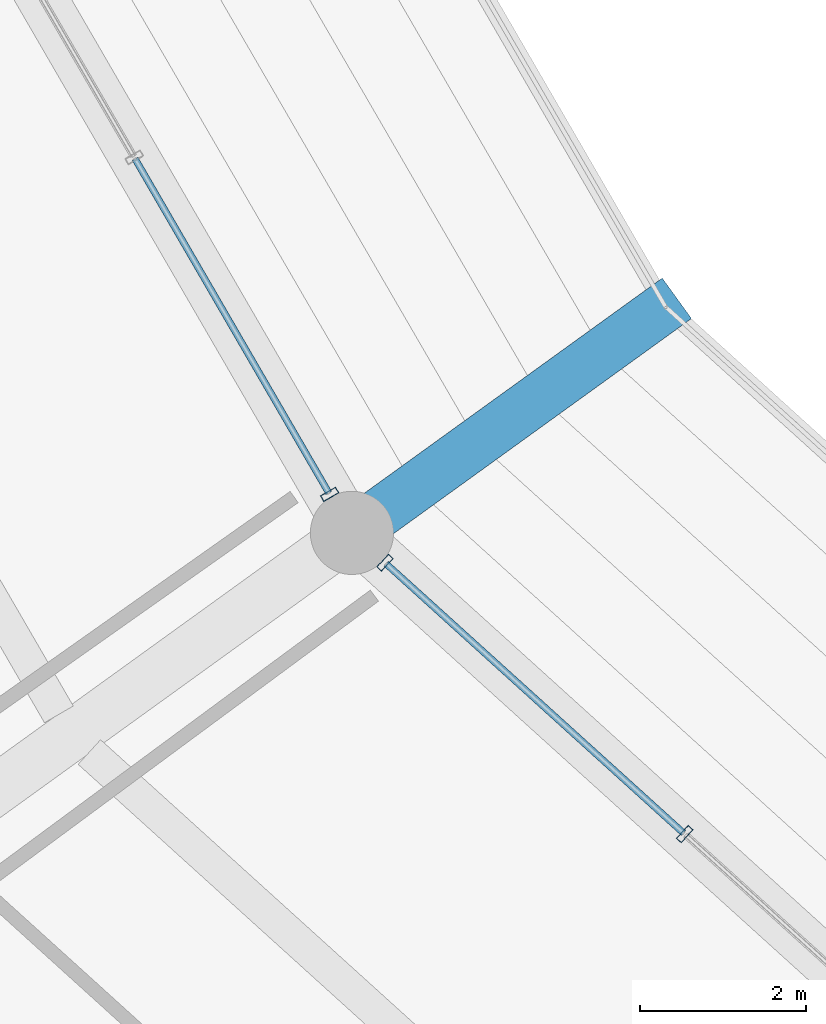
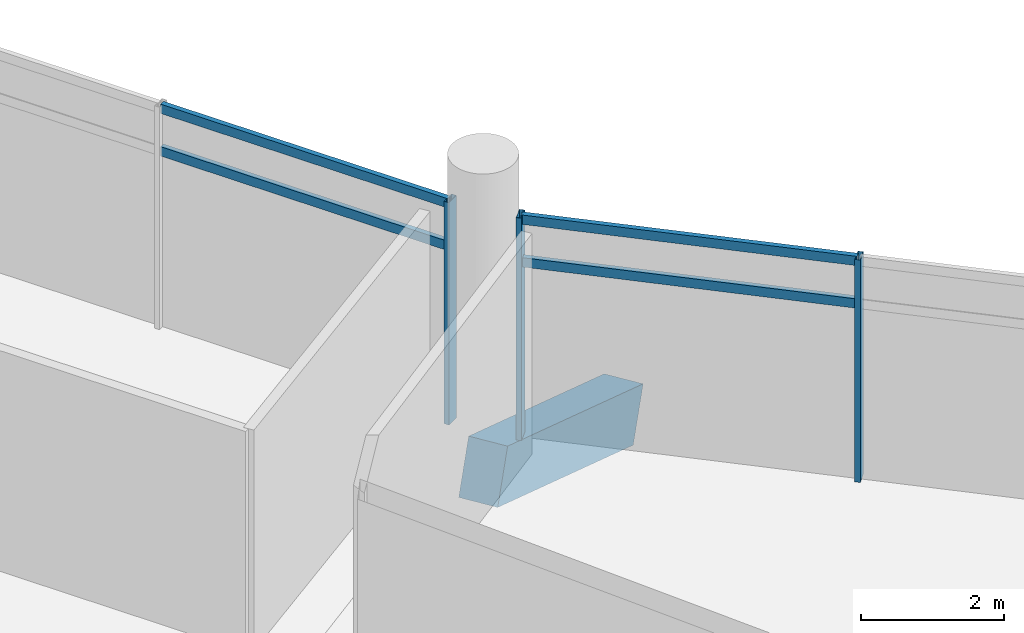
# One storey, part 9 of 171: 7 members, 1 beam, 2 elements without a shape of their own.
"""IFC4 building model written with IfcOpenShell, lengths in metres."""

from ifc_helpers import new_model, si_unit, direction, frame, origin, origin_2d, place, context, subcontext, project, spatial, rectangle, hollow_rectangle, extrude, material, layer, layer_set, material_profile, profile_set, type_object, element, aggregate, save


model = new_model("IFC4")

# Units and contexts
model_context = context("Model", 3, precision=1e-05, world=origin(), true_north=direction((0.0, 1.0)))
body_context = subcontext(model_context, "Body", "Model", "MODEL_VIEW")
ifc_project = project(units=[si_unit("LENGTHUNIT", "METRE"), si_unit("AREAUNIT", "SQUARE_METRE"), si_unit("VOLUMEUNIT", "CUBIC_METRE"), si_unit("PLANEANGLEUNIT", "RADIAN"), si_unit("MASSUNIT", "GRAM", prefix="KILO")], contexts=[model_context])

# Site, building, storey
site_placement = place(None, origin())
site = spatial("IfcSite", under=ifc_project, at=site_placement, CompositionType="ELEMENT")
building_placement = place(site_placement, origin())
building = spatial("IfcBuilding", under=site, at=building_placement, Name="Kazemori Nagisa Stadium", CompositionType="ELEMENT")
storey_placement = place(building_placement, frame((0.0, 0.0, 15.639892578125)))
storey = spatial("IfcBuildingStorey", under=building, at=storey_placement, Name="L03", CompositionType="ELEMENT", Elevation=15.639892578125)

# Beam
ifc_material_1 = material(Name="Concrete C40/50 (Fc42)", Category="concrete")
ifc_material_profile_1 = material_profile(ifc_material_1, rectangle(XDim=0.60009765625, YDim=0.89990234375, at=origin_2d()), Name="RC-RK-600x900")
ifc_profile_set_1 = profile_set([ifc_material_profile_1], Name="Concrete C40/50 (Fc42)")
beam_type = type_object("IfcBeamType", Name="Beam_RK-RC600X900", PredefinedType="USERDEFINED", material=ifc_profile_set_1)
beam_placement = place(storey_placement, frame((69.466064453125, 63.352783203125, -2.58984375), z_axis=(-0.750462311942, -0.541838457728, 0.378440753728), x_axis=(0.585375455135, -0.810762342814, 0.0)))
element("IfcBeam", 1, at=beam_placement, inside=storey, type_object=beam_type, Name="Raker beam club RK2-18", ObjectType="RAKER BEAM", PredefinedType="USERDEFINED", context=body_context, shape_type="SweptSolid", body=[
    extrude(rectangle(XDim=0.60009765625, YDim=0.89990234375, at=origin_2d()), origin(), (0.0, 0.0, 1.0), 5.020263671875),
])

# Curtain wall, member
ifc_material_2 = material(Name="Anodised aluminium 6063-T5", Category="aluminium")
ifc_layer_1 = layer(ifc_material_2, 0.2099609375, Name="Anodised aluminium 6063-T5", Category="aluminium")
ifc_layer_set_1 = layer_set([ifc_layer_1], Name="Anodised aluminium 6063-T5")
curtain_wall_type_1 = type_object("IfcCurtainWallType", Name="CW_L03B_71", PredefinedType="USERDEFINED", material=ifc_layer_set_1)
curtain_wall_1_placement = place(storey_placement, origin())
curtain_wall_1 = element("IfcCurtainWall", 2, at=curtain_wall_1_placement, inside=storey, type_object=curtain_wall_type_1, Name="Unitised curtain wall CW-L03B-71 L03", ObjectType="UNITISED CURTAIN WALL", PredefinedType="USERDEFINED")
ifc_material_3 = material(Name="Aluminium 6063-T5 anodised", Category="aluminium")
ifc_material_profile_2 = material_profile(ifc_material_3, hollow_rectangle(XDim=0.080078125, YDim=0.2099609375, WallThickness=0.0048828125, at=origin_2d()), Name="ALU-MULL-80x210x5")
ifc_profile_set_2 = profile_set([ifc_material_profile_2], Name="Aluminium 6063-T5 anodised")
member_type_1 = type_object("IfcMemberType", Name="Mullion_M02", PredefinedType="MULLION", material=ifc_profile_set_2)
member_1_placement = place(storey_placement, frame((65.429931640625, 61.095458984375, 0.0), z_axis=(0.0, 0.0, 1.0), x_axis=(0.501611590054, -0.865092950337, 0.0)))
member_1 = element("IfcMember", 3, at=member_1_placement, type_object=member_type_1, Name="Curtain wall mullion CW-L03B-71-M4", PredefinedType="MULLION", context=body_context, shape_type="SweptSolid", body=[
    extrude(hollow_rectangle(XDim=0.080078125, YDim=0.2099609375, WallThickness=0.0048828125, at=origin_2d()), origin(), (0.0, 0.0, 1.0), 3.81005859375),
])

# Curtain wall, members
ifc_layer_2 = layer(ifc_material_2, 0.2099609375, Name="Anodised aluminium 6063-T5", Category="aluminium")
ifc_layer_set_2 = layer_set([ifc_layer_2], Name="Anodised aluminium 6063-T5")
curtain_wall_type_2 = type_object("IfcCurtainWallType", Name="CW_L03B_73", PredefinedType="USERDEFINED", material=ifc_layer_set_2)
curtain_wall_2_placement = place(storey_placement, origin())
curtain_wall_2 = element("IfcCurtainWall", 4, at=curtain_wall_2_placement, inside=storey, type_object=curtain_wall_type_2, Name="Unitised curtain wall CW-L03B-73 L03", ObjectType="UNITISED CURTAIN WALL", PredefinedType="USERDEFINED")
member_2_placement = place(storey_placement, frame((66.094970703125, 60.273681640625, 0.0), z_axis=(0.0, 0.0, 1.0), x_axis=(0.741350875443, -0.671117634607, 0.0)))
member_2 = element("IfcMember", 5, at=member_2_placement, type_object=member_type_1, Name="Curtain wall mullion CW-L03B-73-M1", PredefinedType="MULLION", context=body_context, shape_type="SweptSolid", body=[
    extrude(hollow_rectangle(XDim=0.080078125, YDim=0.2099609375, WallThickness=0.0048828125, at=origin_2d()), origin(), (0.0, 0.0, 1.0), 3.81005859375),
])
member_3_placement = place(storey_placement, frame((69.698974609375, 57.010986328125, 0.0), z_axis=(0.0, 0.0, 1.0), x_axis=(0.741350875443, -0.671117634607, 0.0)))
member_3 = element("IfcMember", 6, at=member_3_placement, type_object=member_type_1, Name="Curtain wall mullion CW-L03B-73-M2", PredefinedType="MULLION", context=body_context, shape_type="SweptSolid", body=[
    extrude(hollow_rectangle(XDim=0.080078125, YDim=0.2099609375, WallThickness=0.0048828125, at=origin_2d()), origin(), (0.0, 0.0, 1.0), 3.81005859375),
])

# Member
ifc_material_profile_3 = material_profile(ifc_material_3, hollow_rectangle(XDim=0.080078125, YDim=0.159912109375, WallThickness=0.00390625, at=origin_2d()), Name="ALU-TRAN-80x160x4")
ifc_profile_set_3 = profile_set([ifc_material_profile_3], Name="Aluminium 6063-T5 anodised")
member_type_2 = type_object("IfcMemberType", Name="Transom_T02", PredefinedType="USERDEFINED", material=ifc_profile_set_3)
member_4_placement = place(storey_placement, frame((63.0908203125, 65.129638671875, 3.010009765625), z_axis=(0.501610282552, -0.865093708472, 0.0), x_axis=(0.865093708472, 0.501610282552, 0.0)))
member_4 = element("IfcMember", 7, at=member_4_placement, type_object=member_type_2, Name="Curtain wall transom CW-L03B-71-T3-mid", ObjectType="TRANSOM", PredefinedType="USERDEFINED", context=body_context, shape_type="SweptSolid", body=[
    extrude(hollow_rectangle(XDim=0.080078125, YDim=0.159912109375, WallThickness=0.00390625, at=origin_2d()), origin(), (0.0, 0.0, 1.0), 4.643310546875),
])

member_5_placement = place(storey_placement, frame((63.0908203125, 65.129638671875, 3.739990234375), z_axis=(0.501610282552, -0.865093708472, 0.0), x_axis=(0.865093708472, 0.501610282552, 0.0)))
member_5 = element("IfcMember", 8, at=member_5_placement, type_object=member_type_2, Name="Curtain wall transom CW-L03B-71-T3-head", ObjectType="TRANSOM", PredefinedType="USERDEFINED", context=body_context, shape_type="SweptSolid", body=[
    extrude(hollow_rectangle(XDim=0.080078125, YDim=0.159912109375, WallThickness=0.00390625, at=origin_2d()), origin(), (0.0, 0.0, 1.0), 4.643310546875),
])

aggregate(curtain_wall_1, [member_1, member_4, member_5])

member_6_placement = place(storey_placement, frame((66.10986328125, 60.26025390625, 3.010009765625), z_axis=(0.741327007297, -0.671143999639, 0.0), x_axis=(0.671143999639, 0.741327007297, 0.0)))
member_6 = element("IfcMember", 9, at=member_6_placement, type_object=member_type_2, Name="Curtain wall transom CW-L03B-73-T1-mid", ObjectType="TRANSOM", PredefinedType="USERDEFINED", context=body_context, shape_type="SweptSolid", body=[
    extrude(hollow_rectangle(XDim=0.080078125, YDim=0.159912109375, WallThickness=0.00390625, at=origin_2d()), origin(), (0.0, 0.0, 1.0), 4.8212890625),
])

member_7_placement = place(storey_placement, frame((66.10986328125, 60.26025390625, 3.739990234375), z_axis=(0.741327007297, -0.671143999639, 0.0), x_axis=(0.671143999639, 0.741327007297, 0.0)))
member_7 = element("IfcMember", 10, at=member_7_placement, type_object=member_type_2, Name="Curtain wall transom CW-L03B-73-T1-head", ObjectType="TRANSOM", PredefinedType="USERDEFINED", context=body_context, shape_type="SweptSolid", body=[
    extrude(hollow_rectangle(XDim=0.080078125, YDim=0.159912109375, WallThickness=0.00390625, at=origin_2d()), origin(), (0.0, 0.0, 1.0), 4.8212890625),
])

aggregate(curtain_wall_2, [member_2, member_3, member_6, member_7])

save(model, "model.ifc")
